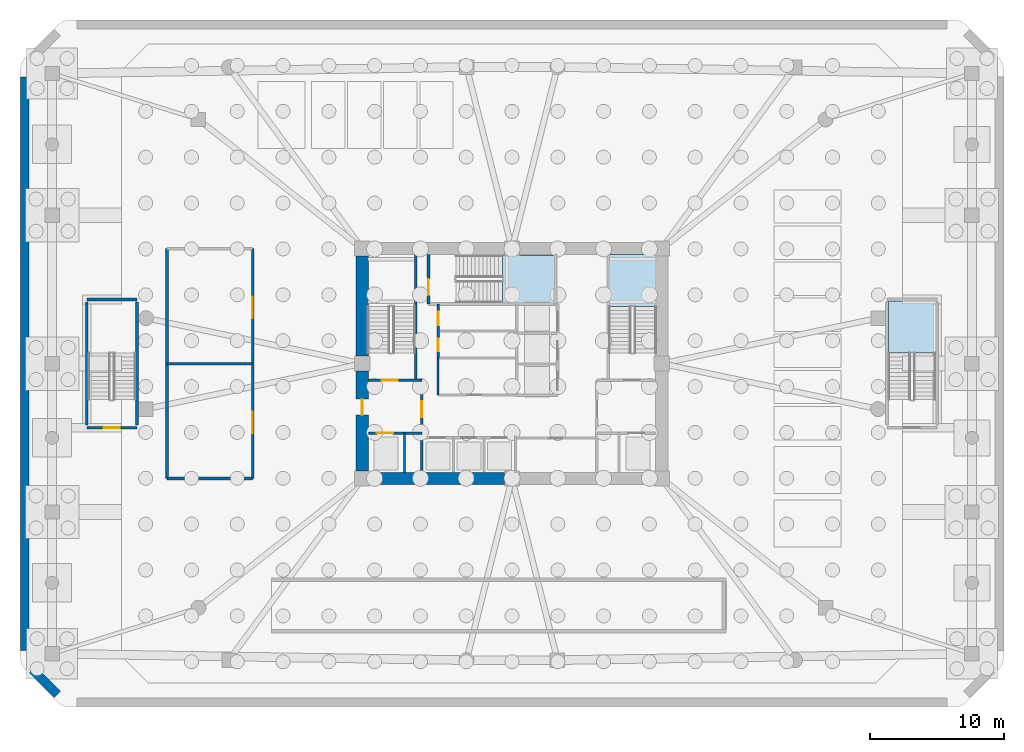
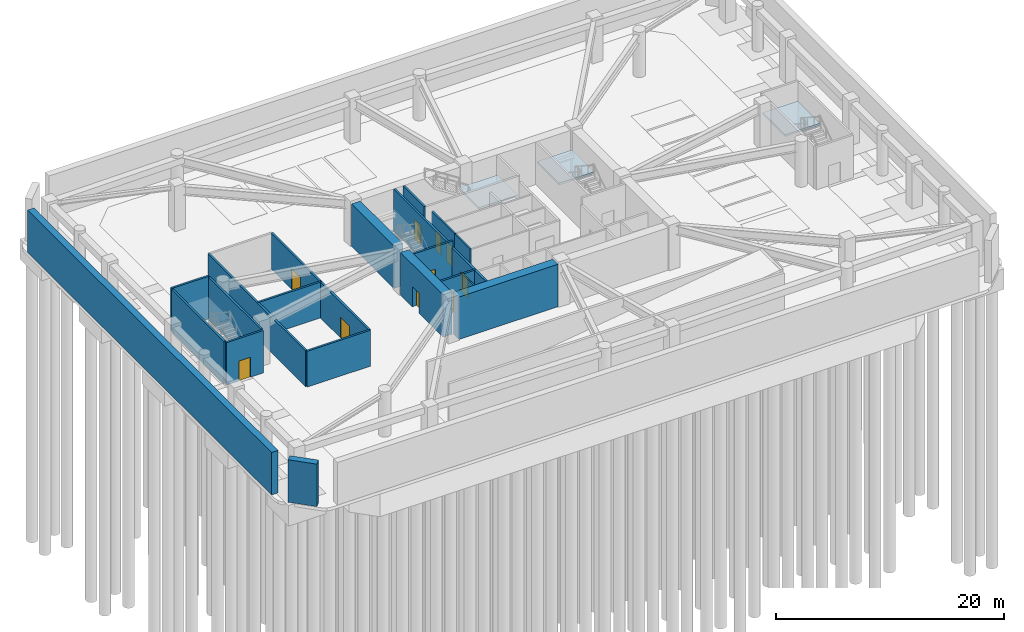
# One storey, part 4 of 11: 21 walls, 10 doors, 3 slabs, 10 openings, 3 elements without a shape of their own.
"""IFC4 building model written with IfcOpenShell, lengths in metres."""

from ifc_helpers import new_model, si_unit, derived_unit, direction, frame, frame_2d, origin, place, context, subcontext, project, spatial, polyline, rectangle, outline, extrude, material, layer, layer_set, type_object, element, fill, aggregate, save


model = new_model("IFC4")

# Units and contexts
model_context = context("Model", 3, precision=1e-05, world=origin(), true_north=direction((0.0, 1.0)))
body_context = subcontext(model_context, "Body", "Model", "MODEL_VIEW")
ifc_project = project(units=[si_unit("LENGTHUNIT", "METRE"), si_unit("AREAUNIT", "SQUARE_METRE"), si_unit("VOLUMEUNIT", "CUBIC_METRE"), si_unit("PLANEANGLEUNIT", "RADIAN"), si_unit("MASSUNIT", "GRAM", prefix="KILO"), derived_unit("THERMALTRANSMITTANCEUNIT", [(si_unit("POWERUNIT", "WATT"), 1), (si_unit("LENGTHUNIT", "METRE"), -2), (si_unit("THERMODYNAMICTEMPERATUREUNIT", "KELVIN"), -1)])], contexts=[model_context])

# Site, building, storey
site_placement = place(None, origin())
site = spatial("IfcSite", under=ifc_project, at=site_placement, CompositionType="ELEMENT")
building_placement = place(site_placement, origin())
building = spatial("IfcBuilding", under=site, at=building_placement, Name="Koralith Skygarden Medical Center", CompositionType="ELEMENT")
storey_placement = place(building_placement, frame((0.0, 0.0, -9.719970703125)))
storey = spatial("IfcBuildingStorey", under=building, at=storey_placement, Name="B2", CompositionType="ELEMENT", Elevation=-9.719970703125)

# Stair, slab
ifc_material_1 = material(Name="Concrete C45/55", Category="concrete")
stair_type = type_object("IfcStairType", Name="Core Exit Dogleg Concrete Stair", PredefinedType="HALF_TURN_STAIR", material=ifc_material_1)
stair_1_placement = place(storey_placement, origin())
stair_1 = element("IfcStair", 1, at=stair_1_placement, inside=storey, type_object=stair_type, Name="B2 Smokeproof Exit Stair ST2", PredefinedType="HALF_TURN_STAIR")
ifc_layer_1 = layer(ifc_material_1, 0.199951171875)
ifc_layer_set_1 = layer_set([ifc_layer_1], Name="Concrete C45/55")
slab_type = type_object("IfcSlabType", Name="Core Exit Concrete Stair Landing 200", PredefinedType="LANDING", material=ifc_layer_set_1)
slab_1_placement = place(storey_placement, frame((0.0, 0.0, 2.22998046875)))
slab_1 = element("IfcSlab", 2, at=slab_1_placement, type_object=slab_type, Name="ST2 landing 1", PredefinedType="LANDING", context=body_context, shape_type="SweptSolid", body=[
    extrude(outline(polyline([(47.800048828125, 30.179931640625), (47.800048828125, 34.050048828125), (44.25, 34.050048828125), (44.25, 30.179931640625), (47.800048828125, 30.179931640625)])), origin(), (0.0, 0.0, 1.0), 0.199951171875),
])
aggregate(stair_1, [slab_1])

stair_2_placement = place(storey_placement, origin())
stair_2 = element("IfcStair", 3, at=stair_2_placement, inside=storey, type_object=stair_type, Name="B2 Smokeproof Exit Stair ST3", PredefinedType="HALF_TURN_STAIR")
slab_2_placement = place(storey_placement, frame((0.0, 0.0, 2.22998046875)))
slab_2 = element("IfcSlab", 4, at=slab_2_placement, type_object=slab_type, Name="ST3 landing 1", PredefinedType="LANDING", context=body_context, shape_type="SweptSolid", body=[
    extrude(outline(polyline([(36.280029296875, 30.449951171875), (40.199951171875, 30.449951171875), (40.199951171875, 34.0), (36.280029296875, 34.0), (36.280029296875, 30.449951171875)])), origin(), (0.0, 0.0, 1.0), 0.199951171875),
])
aggregate(stair_2, [slab_2])

stair_3_placement = place(storey_placement, origin())
stair_3 = element("IfcStair", 5, at=stair_3_placement, inside=storey, type_object=stair_type, Name="B2 Podium Smokeproof Exit Stair ST5", PredefinedType="HALF_TURN_STAIR")
slab_3_placement = place(storey_placement, frame((0.0, 0.0, 2.22998046875)))
slab_3 = element("IfcSlab", 6, at=slab_3_placement, type_object=slab_type, Name="ST5 landing 1", PredefinedType="LANDING", context=body_context, shape_type="SweptSolid", body=[
    extrude(outline(polyline([(68.699951171875, 26.679931640625), (68.699951171875, 30.60009765625), (65.14990234375, 30.60009765625), (65.14990234375, 26.679931640625), (68.699951171875, 26.679931640625)])), origin(), (0.0, 0.0, 1.0), 0.199951171875),
])
aggregate(stair_3, [slab_3])

# Walls
ifc_material_2 = material(Name="Concrete C55/67", Category="concrete")
ifc_layer_2 = layer(ifc_material_2, 0.64990234375)
ifc_layer_set_2 = layer_set([ifc_layer_2], Name="Concrete C55/67")
wall_type_1 = type_object("IfcWallType", Name="Basement Retaining Wall 650", PredefinedType="SOLIDWALL", material=ifc_layer_set_2)
wall_1_placement = place(storey_placement, frame((0.550048828125, 47.344970703125, 0.0), z_axis=(0.0, 0.0, 1.0), x_axis=(0.0, -1.0, 0.0)))
element("IfcWall", 7, at=wall_1_placement, inside=storey, type_object=wall_type_1, Name="B2 Basement Retaining Wall W", PredefinedType="SOLIDWALL", context=body_context, shape_type="SweptSolid", body=[
    extrude(rectangle(XDim=42.889892578125, YDim=0.64990234375, at=frame_2d((21.44482421875, 0.0))), origin(), (0.0, 0.0, 1.0), 4.56005859375),
])
wall_2_placement = place(storey_placement, frame((1.15087890625, 3.00390625, 0.0), z_axis=(0.0, 0.0, 1.0), x_axis=(0.707106781187, -0.707106781187, 0.0)))
element("IfcWall", 8, at=wall_2_placement, inside=storey, type_object=wall_type_1, Name="B2 Basement Retaining Wall SW", PredefinedType="SOLIDWALL", context=body_context, shape_type="SweptSolid", body=[
    extrude(rectangle(XDim=2.62060546875, YDim=0.64990234375, at=frame_2d((1.310302734375, 0.0))), origin(), (0.0, 0.0, 1.0), 4.56005859375),
])
ifc_material_3 = material(Name="Gypsum Board Partition")
ifc_layer_3 = layer(ifc_material_3, 0.14990234375)
ifc_layer_set_3 = layer_set([ifc_layer_3], Name="Gypsum Board Partition")
wall_type_2 = type_object("IfcWallType", Name="Clinical Acoustic Partition 150", PredefinedType="PARTITIONING", material=ifc_layer_set_3)
wall_3_placement = place(storey_placement, frame((31.47998046875, 23.56005859375, 0.0), z_axis=(0.0, 0.0, 1.0), x_axis=(0.0, 1.0, 0.0)))
element("IfcWall", 9, at=wall_3_placement, inside=storey, type_object=wall_type_2, Name="B2 Clinical Acoustic Partition 150 W-CORE-B2-PH-BW", PredefinedType="PARTITIONING", context=body_context, shape_type="SweptSolid", body=[
    extrude(rectangle(XDim=2.760009765625, YDim=0.14990234375, at=frame_2d((1.3798828125, 0.0))), origin(), (0.0, 0.0, 1.0), 3.849853515625),
])

# Wall, opening, door
ifc_layer_4 = layer(ifc_material_3, 0.199951171875)
ifc_layer_set_4 = layer_set([ifc_layer_4], Name="Gypsum Board Partition")
wall_type_3 = type_object("IfcWallType", Name="Fire Shaft Wall 200", PredefinedType="SOLIDWALL", material=ifc_layer_set_4)
wall_4_placement = place(storey_placement, frame((26.25, 20.699951171875, 0.0), z_axis=(0.0, 0.0, 1.0), x_axis=(1.0, 0.0, 0.0)))
wall_4 = element("IfcWall", 10, at=wall_4_placement, inside=storey, type_object=wall_type_3, Name="B2 Fire Shaft Wall 200 W-CORE-B2-FF1-N", PredefinedType="SOLIDWALL", context=body_context, shape_type="SweptSolid", body=[
    extrude(rectangle(XDim=4.0, YDim=0.199951171875, at=frame_2d((2.0, 0.0))), origin(), (0.0, 0.0, 1.0), 3.849853515625),
])
opening_1_placement = place(wall_4_placement, frame((0.64990234375, 0.0, 0.0)))
opening_1 = element("IfcOpeningElement", 11, at=opening_1_placement, cuts=wall_4, Name="Opening LD-FF", PredefinedType="OPENING", context=body_context, shape_type="SweptSolid", body=[
    extrude(rectangle(XDim=1.199951171875, YDim=2.14990234375, at=frame_2d((0.60009765625, 1.074951171875))), frame((0.0, 0.10986328125, 0.0), z_axis=(0.0, -1.0, 0.0), x_axis=(1.0, 0.0, 0.0)), (0.0, 0.0, 1.0), 0.219970703125),
])
ifc_material_4 = material(Name="Steel ASTM A500 Grade C", Category="steel")
door_type_1 = type_object("IfcDoorType", Name="Fire Lift Sliding Landing Door LD-FF 1200", OperationType="NOTDEFINED", PredefinedType="DOOR", material=ifc_material_4)
door_1_placement = place(opening_1_placement, origin())
door_1 = element("IfcDoor", 12, at=door_1_placement, inside=storey, type_object=door_type_1, Name="B2 Fire Service Elevator FF1 Landing Door", OperationType="SLIDING_TO_LEFT", OverallHeight=2.14990234375, OverallWidth=1.199951171875, PredefinedType="DOOR", context=body_context, shape_type="SweptSolid", body=[
    extrude(rectangle(XDim=1.199951171875, YDim=2.14990234375, at=frame_2d((0.60009765625, 1.074951171875))), frame((0.0, 0.02490234375, 0.0), z_axis=(0.0, -1.0, 0.0), x_axis=(1.0, 0.0, 0.0)), (0.0, 0.0, 1.0), 0.050048828125),
])
fill(opening_1, door_1)

wall_5_placement = place(storey_placement, frame((30.25, 17.75, 0.0), z_axis=(0.0, 0.0, 1.0), x_axis=(0.0, 1.0, 0.0)))
wall_5 = element("IfcWall", 13, at=wall_5_placement, inside=storey, type_object=wall_type_3, Name="B2 Fire Shaft Wall 200 W-CORE-B2-FSAEW-E", PredefinedType="SOLIDWALL", context=body_context, shape_type="SweptSolid", body=[
    extrude(rectangle(XDim=6.89990234375, YDim=0.199951171875, at=frame_2d((3.449951171875, 0.0))), origin(), (0.0, 0.0, 1.0), 3.849853515625),
])
opening_2_placement = place(wall_5_placement, frame((4.14990234375, 0.0, 0.0)))
opening_2 = element("IfcOpeningElement", 14, at=opening_2_placement, cuts=wall_5, Name="Opening D-ST60", PredefinedType="OPENING", context=body_context, shape_type="SweptSolid", body=[
    extrude(rectangle(XDim=1.199951171875, YDim=2.14990234375, at=frame_2d((0.60009765625, 1.074951171875))), frame((0.0, 0.10986328125, 0.0), z_axis=(0.0, -1.0, 0.0), x_axis=(1.0, 0.0, 0.0)), (0.0, 0.0, 1.0), 0.219970703125),
])
door_type_2 = type_object("IfcDoorType", Name="Smokeproof Stair Fire Door FD60S 1200", OperationType="NOTDEFINED", PredefinedType="DOOR", material=ifc_material_4)
door_2_placement = place(opening_2_placement, origin())
door_2 = element("IfcDoor", 15, at=door_2_placement, inside=storey, type_object=door_type_2, Name="B2 West Firefighting Lobby Inner Fire Door", OperationType="SINGLE_SWING_LEFT", OverallHeight=2.14990234375, OverallWidth=1.199951171875, PredefinedType="DOOR", context=body_context, shape_type="SweptSolid", body=[
    extrude(rectangle(XDim=1.199951171875, YDim=2.14990234375, at=frame_2d((0.60009765625, 1.074951171875))), frame((0.0, 0.02490234375, 0.0), z_axis=(0.0, -1.0, 0.0), x_axis=(1.0, 0.0, 0.0)), (0.0, 0.0, 1.0), 0.050048828125),
])
fill(opening_2, door_2)

# Wall, openings, doors
wall_6_placement = place(storey_placement, frame((17.60009765625, 17.300048828125, 0.0), z_axis=(0.0, 0.0, 1.0), x_axis=(0.0, 1.0, 0.0)))
wall_6 = element("IfcWall", 16, at=wall_6_placement, inside=storey, type_object=wall_type_3, Name="B2 Fire Shaft Wall 200 W-BASE-B2-BLKE", PredefinedType="SOLIDWALL", context=body_context, shape_type="SweptSolid", body=[
    extrude(rectangle(XDim=17.199951171875, YDim=0.199951171875, at=frame_2d((8.60009765625, 0.0))), origin(), (0.0, 0.0, 1.0), 3.849853515625),
])
opening_3_placement = place(wall_6_placement, frame((3.39990234375, 0.0, 0.0)))
opening_3 = element("IfcOpeningElement", 17, at=opening_3_placement, cuts=wall_6, Name="Opening D-DBL", PredefinedType="OPENING", context=body_context, shape_type="SweptSolid", body=[
    extrude(rectangle(XDim=1.60009765625, YDim=2.199951171875, at=frame_2d((0.800048828125, 1.10009765625))), frame((0.0, 0.10986328125, 0.0), z_axis=(0.0, -1.0, 0.0), x_axis=(1.0, 0.0, 0.0)), (0.0, 0.0, 1.0), 0.219970703125),
])
opening_4_placement = place(wall_6_placement, frame((12.0, 0.0, 0.0)))
opening_4 = element("IfcOpeningElement", 18, at=opening_4_placement, cuts=wall_6, Name="Opening D-DBL", PredefinedType="OPENING", context=body_context, shape_type="SweptSolid", body=[
    extrude(rectangle(XDim=1.60009765625, YDim=2.199951171875, at=frame_2d((0.800048828125, 1.10009765625))), frame((0.0, 0.10986328125, 0.0), z_axis=(0.0, -1.0, 0.0), x_axis=(1.0, 0.0, 0.0)), (0.0, 0.0, 1.0), 0.219970703125),
])
ifc_material_5 = material(Name="Aluminium 6063-T6", Category="aluminium")
door_type_3 = type_object("IfcDoorType", Name="Double Clinical Suite Door D-DBL 1600", OperationType="NOTDEFINED", PredefinedType="DOOR", material=ifc_material_5)
door_3_placement = place(opening_3_placement, origin())
door_3 = element("IfcDoor", 19, at=door_3_placement, inside=storey, type_object=door_type_3, Name="B2 CSSD Soiled Decontamination Room Door", OperationType="DOUBLE_DOOR_SINGLE_SWING", OverallHeight=2.199951171875, OverallWidth=1.60009765625, PredefinedType="DOOR", context=body_context, shape_type="SweptSolid", body=[
    extrude(rectangle(XDim=1.60009765625, YDim=2.199951171875, at=frame_2d((0.800048828125, 1.10009765625))), frame((0.0, 0.02490234375, 0.0), z_axis=(0.0, -1.0, 0.0), x_axis=(1.0, 0.0, 0.0)), (0.0, 0.0, 1.0), 0.050048828125),
])
fill(opening_3, door_3)
door_4_placement = place(opening_4_placement, origin())
door_4 = element("IfcDoor", 20, at=door_4_placement, inside=storey, type_object=door_type_3, Name="B2 CSSD Clean Sterile Assembly Workroom Door", OperationType="DOUBLE_DOOR_SINGLE_SWING", OverallHeight=2.199951171875, OverallWidth=1.60009765625, PredefinedType="DOOR", context=body_context, shape_type="SweptSolid", body=[
    extrude(rectangle(XDim=1.60009765625, YDim=2.199951171875, at=frame_2d((0.800048828125, 1.10009765625))), frame((0.0, 0.02490234375, 0.0), z_axis=(0.0, -1.0, 0.0), x_axis=(1.0, 0.0, 0.0)), (0.0, 0.0, 1.0), 0.050048828125),
])
fill(opening_4, door_4)

# Walls
wall_7_placement = place(storey_placement, frame((11.199951171875, 17.300048828125, 0.0), z_axis=(0.0, 0.0, 1.0), x_axis=(1.0, 0.0, 0.0)))
element("IfcWall", 21, at=wall_7_placement, inside=storey, type_object=wall_type_3, Name="B2 Fire Shaft Wall 200 W-BASE-B2-BLKS", PredefinedType="SOLIDWALL", context=body_context, shape_type="SweptSolid", body=[
    extrude(rectangle(XDim=6.400146484375, YDim=0.199951171875, at=frame_2d((3.2001953125, 0.0))), origin(), (0.0, 0.0, 1.0), 3.849853515625),
])
wall_8_placement = place(storey_placement, frame((11.199951171875, 17.300048828125, 0.0), z_axis=(0.0, 0.0, 1.0), x_axis=(0.0, 1.0, 0.0)))
element("IfcWall", 22, at=wall_8_placement, inside=storey, type_object=wall_type_3, Name="B2 Fire Shaft Wall 200 W-BASE-B2-BLKW", PredefinedType="SOLIDWALL", context=body_context, shape_type="SweptSolid", body=[
    extrude(rectangle(XDim=17.199951171875, YDim=0.199951171875, at=frame_2d((8.60009765625, 0.0))), origin(), (0.0, 0.0, 1.0), 3.849853515625),
])
wall_9_placement = place(storey_placement, frame((11.199951171875, 25.89990234375, 0.0), z_axis=(0.0, 0.0, 1.0), x_axis=(1.0, 0.0, 0.0)))
element("IfcWall", 23, at=wall_9_placement, inside=storey, type_object=wall_type_3, Name="B2 Fire Shaft Wall 200 W-BASE-B2-BLKM", PredefinedType="SOLIDWALL", context=body_context, shape_type="SweptSolid", body=[
    extrude(rectangle(XDim=6.400146484375, YDim=0.199951171875, at=frame_2d((3.2001953125, 0.0))), origin(), (0.0, 0.0, 1.0), 3.849853515625),
])
ifc_material_6 = material(Name="Concrete C70/85", Category="concrete")
ifc_layer_5 = layer(ifc_material_6, 0.89990234375)
ifc_layer_set_5 = layer_set([ifc_layer_5], Name="Concrete C70/85")
wall_type_4 = type_object("IfcWallType", Name="Lower Core Shear Wall 900", PredefinedType="SHEAR", material=ifc_layer_set_5)
wall_10_placement = place(storey_placement, frame((26.364990234375, 17.300048828125, 0.0), z_axis=(0.0, 0.0, 1.0), x_axis=(1.0, 0.0, 0.0)))
element("IfcWall", 24, at=wall_10_placement, inside=storey, type_object=wall_type_4, Name="B2 Core Shear Wall Segment 1", PredefinedType="SHEAR", context=body_context, shape_type="SweptSolid", body=[
    extrude(rectangle(XDim=10.070068359375, YDim=0.89990234375, at=frame_2d((5.03515625, 0.0))), origin(), (0.0, 0.0, 1.0), 4.56005859375),
])
wall_11_placement = place(storey_placement, frame((25.800048828125, 33.93505859375, 0.0), z_axis=(0.0, 0.0, 1.0), x_axis=(0.0, -1.0, 0.0)))
element("IfcWall", 25, at=wall_11_placement, inside=storey, type_object=wall_type_4, Name="B2 Core Shear Wall Segment 7", PredefinedType="SHEAR", context=body_context, shape_type="SweptSolid", body=[
    extrude(rectangle(XDim=7.469970703125, YDim=0.89990234375, at=frame_2d((3.73486328125, 0.0))), origin(), (0.0, 0.0, 1.0), 4.56005859375),
])

# Wall, opening, door
wall_12_placement = place(storey_placement, frame((25.800048828125, 25.3349609375, 0.0), z_axis=(0.0, 0.0, 1.0), x_axis=(0.0, -1.0, 0.0)))
wall_12 = element("IfcWall", 26, at=wall_12_placement, inside=storey, type_object=wall_type_4, Name="B2 Core Shear Wall Segment 8", PredefinedType="SHEAR", context=body_context, shape_type="SweptSolid", body=[
    extrude(rectangle(XDim=7.469970703125, YDim=0.89990234375, at=frame_2d((3.73486328125, 0.0))), origin(), (0.0, 0.0, 1.0), 4.56005859375),
])
opening_5_placement = place(wall_12_placement, frame((2.0849609375, 0.0, 0.0)))
opening_5 = element("IfcOpeningElement", 27, at=opening_5_placement, cuts=wall_12, Name="Opening D-ST60", PredefinedType="OPENING", context=body_context, shape_type="SweptSolid", body=[
    extrude(rectangle(XDim=1.199951171875, YDim=2.14990234375, at=frame_2d((0.60009765625, 1.074951171875))), frame((0.0, 0.4599609375, 0.0), z_axis=(0.0, -1.0, 0.0), x_axis=(1.0, 0.0, 0.0)), (0.0, 0.0, 1.0), 0.919921875),
])
door_5_placement = place(opening_5_placement, frame((1.199951171875, 0.0, 0.0), z_axis=(0.0, 0.0, 1.0), x_axis=(-1.0, 0.0, 0.0)))
door_5 = element("IfcDoor", 28, at=door_5_placement, inside=storey, type_object=door_type_2, Name="B2 West Corridor to Firefighting Lobby Door", OperationType="SINGLE_SWING_LEFT", OverallHeight=2.14990234375, OverallWidth=1.199951171875, PredefinedType="DOOR", context=body_context, shape_type="SweptSolid", body=[
    extrude(rectangle(XDim=1.199951171875, YDim=2.14990234375, at=frame_2d((0.60009765625, 1.074951171875))), frame((0.0, 0.02490234375, 0.0), z_axis=(0.0, -1.0, 0.0), x_axis=(1.0, 0.0, 0.0)), (0.0, 0.0, 1.0), 0.050048828125),
])
fill(opening_5, door_5)

# Wall, openings, doors
ifc_layer_6 = layer(ifc_material_3, 0.1650390625)
ifc_layer_set_6 = layer_set([ifc_layer_6], Name="Gypsum Board Partition")
wall_type_5 = type_object("IfcWallType", Name="Plumbing Wet Wall 165", PredefinedType="PLUMBINGWALL", material=ifc_layer_set_6)
wall_13_placement = place(storey_placement, frame((31.47998046875, 26.320068359375, 0.0), z_axis=(0.0, 0.0, 1.0), x_axis=(0.0, 1.0, 0.0)))
wall_13 = element("IfcWall", 29, at=wall_13_placement, inside=storey, type_object=wall_type_5, Name="B2 Plumbing Wet Wall 165 W-CORE-B2-FLEX-W", PredefinedType="PLUMBINGWALL", context=body_context, shape_type="SweptSolid", body=[
    extrude(rectangle(XDim=4.0400390625, YDim=0.1650390625, at=frame_2d((2.02001953125, 0.0))), origin(), (0.0, 0.0, 1.0), 3.849853515625),
])
opening_6_placement = place(wall_13_placement, frame((0.5, 0.0, 0.0)))
opening_6 = element("IfcOpeningElement", 30, at=opening_6_placement, cuts=wall_13, Name="Opening D-WC", PredefinedType="OPENING", context=body_context, shape_type="SweptSolid", body=[
    extrude(rectangle(XDim=0.949951171875, YDim=2.10009765625, at=frame_2d((0.47509765625, 1.050048828125))), frame((0.0, 0.092529296875, 0.0), z_axis=(0.0, -1.0, 0.0), x_axis=(1.0, 0.0, 0.0)), (0.0, 0.0, 1.0), 0.18505859375),
])
opening_7_placement = place(wall_13_placement, frame((2.449951171875, 0.0, 0.0)))
opening_7 = element("IfcOpeningElement", 31, at=opening_7_placement, cuts=wall_13, Name="Opening D-SUP", PredefinedType="OPENING", context=body_context, shape_type="SweptSolid", body=[
    extrude(rectangle(XDim=1.0, YDim=2.14990234375, at=frame_2d((0.5, 1.074951171875))), frame((0.0, 0.092529296875, 0.0), z_axis=(0.0, -1.0, 0.0), x_axis=(1.0, 0.0, 0.0)), (0.0, 0.0, 1.0), 0.18505859375),
])
door_type_4 = type_object("IfcDoorType", Name="Accessible Toilet Door D-WC 950", OperationType="NOTDEFINED", PredefinedType="DOOR", material=ifc_material_5)
door_6_placement = place(opening_6_placement, frame((0.949951171875, 0.0, 0.0), z_axis=(0.0, 0.0, 1.0), x_axis=(-1.0, 0.0, 0.0)))
door_6 = element("IfcDoor", 32, at=door_6_placement, inside=storey, type_object=door_type_4, Name="B2 Core Accessible WC Door", OperationType="SINGLE_SWING_LEFT", OverallHeight=2.10009765625, OverallWidth=0.949951171875, PredefinedType="DOOR", context=body_context, shape_type="SweptSolid", body=[
    extrude(rectangle(XDim=0.949951171875, YDim=2.10009765625, at=frame_2d((0.47509765625, 1.050048828125))), frame((0.0, 0.02490234375, 0.0), z_axis=(0.0, -1.0, 0.0), x_axis=(1.0, 0.0, 0.0)), (0.0, 0.0, 1.0), 0.050048828125),
])
fill(opening_6, door_6)
door_type_5 = type_object("IfcDoorType", Name="Clinical Support Door D-SUP 1000", OperationType="NOTDEFINED", PredefinedType="DOOR", material=ifc_material_5)
door_7_placement = place(opening_7_placement, frame((1.0, 0.0, 0.0), z_axis=(0.0, 0.0, 1.0), x_axis=(-1.0, 0.0, 0.0)))
door_7 = element("IfcDoor", 33, at=door_7_placement, inside=storey, type_object=door_type_5, Name="B2 Core Clean Utility Door", OperationType="SINGLE_SWING_RIGHT", OverallHeight=2.14990234375, OverallWidth=1.0, PredefinedType="DOOR", context=body_context, shape_type="SweptSolid", body=[
    extrude(rectangle(XDim=1.0, YDim=2.14990234375, at=frame_2d((0.5, 1.074951171875))), frame((0.0, 0.02490234375, 0.0), z_axis=(0.0, -1.0, 0.0), x_axis=(1.0, 0.0, 0.0)), (0.0, 0.0, 1.0), 0.050048828125),
])
fill(opening_7, door_7)

# Walls
ifc_layer_7 = layer(ifc_material_3, 0.14990234375)
ifc_layer_set_7 = layer_set([ifc_layer_7], Name="Gypsum Board Partition")
wall_type_6 = type_object("IfcWallType", Name="Shaft Partition Wall 150", PredefinedType="PARTITIONING", material=ifc_layer_set_7)
wall_14_placement = place(storey_placement, frame((28.969970703125, 17.75, 0.0), z_axis=(0.0, 0.0, 1.0), x_axis=(0.0, 1.0, 0.0)))
element("IfcWall", 34, at=wall_14_placement, inside=storey, type_object=wall_type_6, Name="B2 Shaft Partition Wall 150 W-CORE-B2-RSRW-DIV", PredefinedType="PARTITIONING", context=body_context, shape_type="SweptSolid", body=[
    extrude(rectangle(XDim=2.949951171875, YDim=0.14990234375, at=frame_2d((1.47509765625, 0.0))), origin(), (0.0, 0.0, 1.0), 3.849853515625),
])
ifc_layer_8 = layer(ifc_material_1, 0.199951171875)
ifc_layer_set_8 = layer_set([ifc_layer_8], Name="Concrete C45/55")
wall_type_7 = type_object("IfcWallType", Name="Structural Stair Shaft Wall 200", PredefinedType="SHEAR", material=ifc_layer_set_8)
wall_15_placement = place(storey_placement, frame((29.800048828125, 24.64990234375, 0.0), z_axis=(0.0, 0.0, 1.0), x_axis=(0.0, 1.0, 0.0)))
element("IfcWall", 35, at=wall_15_placement, inside=storey, type_object=wall_type_7, Name="B2 Structural Stair Shaft Wall 200 W-CORE-B2-ST1-E", PredefinedType="SHEAR", context=body_context, shape_type="SweptSolid", body=[
    extrude(rectangle(XDim=9.400146484375, YDim=0.199951171875, at=frame_2d((4.7001953125, 0.0))), origin(), (0.0, 0.0, 1.0), 4.56005859375),
])

# Wall, opening, door
wall_16_placement = place(storey_placement, frame((26.25, 24.64990234375, 0.0), z_axis=(0.0, 0.0, 1.0), x_axis=(1.0, 0.0, 0.0)))
wall_16 = element("IfcWall", 36, at=wall_16_placement, inside=storey, type_object=wall_type_7, Name="B2 Structural Stair Shaft Wall 200 W-CORE-B2-ST1-S", PredefinedType="SHEAR", context=body_context, shape_type="SweptSolid", body=[
    extrude(rectangle(XDim=4.0, YDim=0.199951171875, at=frame_2d((2.0, 0.0))), origin(), (0.0, 0.0, 1.0), 4.56005859375),
])
opening_8_placement = place(wall_16_placement, frame((1.0, 0.0, 0.0)))
opening_8 = element("IfcOpeningElement", 37, at=opening_8_placement, cuts=wall_16, Name="Opening D-ST60", PredefinedType="OPENING", context=body_context, shape_type="SweptSolid", body=[
    extrude(rectangle(XDim=1.199951171875, YDim=2.14990234375, at=frame_2d((0.60009765625, 1.074951171875))), frame((0.0, 0.10986328125, 0.0), z_axis=(0.0, -1.0, 0.0), x_axis=(1.0, 0.0, 0.0)), (0.0, 0.0, 1.0), 0.219970703125),
])
door_8_placement = place(opening_8_placement, origin())
door_8 = element("IfcDoor", 38, at=door_8_placement, inside=storey, type_object=door_type_2, Name="B2 Exit Stair ST1 Fire Door", OperationType="SINGLE_SWING_LEFT", OverallHeight=2.14990234375, OverallWidth=1.199951171875, PredefinedType="DOOR", context=body_context, shape_type="SweptSolid", body=[
    extrude(rectangle(XDim=1.199951171875, YDim=2.14990234375, at=frame_2d((0.60009765625, 1.074951171875))), frame((0.0, 0.02490234375, 0.0), z_axis=(0.0, -1.0, 0.0), x_axis=(1.0, 0.0, 0.0)), (0.0, 0.0, 1.0), 0.050048828125),
])
fill(opening_8, door_8)

wall_17_placement = place(storey_placement, frame((30.75, 30.360107421875, 0.0), z_axis=(0.0, 0.0, 1.0), x_axis=(0.0, 1.0, 0.0)))
wall_17 = element("IfcWall", 39, at=wall_17_placement, inside=storey, type_object=wall_type_7, Name="B2 Structural Stair Shaft Wall 200 W-CORE-B2-ST3-W", PredefinedType="SHEAR", context=body_context, shape_type="SweptSolid", body=[
    extrude(rectangle(XDim=3.68994140625, YDim=0.199951171875, at=frame_2d((1.844970703125, 0.0))), origin(), (0.0, 0.0, 1.0), 4.56005859375),
])
opening_9_placement = place(wall_17_placement, frame((0.64990234375, 0.0, 0.0)))
opening_9 = element("IfcOpeningElement", 40, at=opening_9_placement, cuts=wall_17, Name="Opening D-ST60", PredefinedType="OPENING", context=body_context, shape_type="SweptSolid", body=[
    extrude(rectangle(XDim=1.199951171875, YDim=2.14990234375, at=frame_2d((0.60009765625, 1.074951171875))), frame((0.0, 0.10986328125, 0.0), z_axis=(0.0, -1.0, 0.0), x_axis=(1.0, 0.0, 0.0)), (0.0, 0.0, 1.0), 0.219970703125),
])
door_9_placement = place(opening_9_placement, frame((1.199951171875, 0.0, 0.0), z_axis=(0.0, 0.0, 1.0), x_axis=(-1.0, 0.0, 0.0)))
door_9 = element("IfcDoor", 41, at=door_9_placement, inside=storey, type_object=door_type_2, Name="B2 Exit Stair ST3 Basement Fire Door", OperationType="SINGLE_SWING_LEFT", OverallHeight=2.14990234375, OverallWidth=1.199951171875, PredefinedType="DOOR", context=body_context, shape_type="SweptSolid", body=[
    extrude(rectangle(XDim=1.199951171875, YDim=2.14990234375, at=frame_2d((0.60009765625, 1.074951171875))), frame((0.0, 0.02490234375, 0.0), z_axis=(0.0, -1.0, 0.0), x_axis=(1.0, 0.0, 0.0)), (0.0, 0.0, 1.0), 0.050048828125),
])
fill(opening_9, door_9)

wall_18_placement = place(storey_placement, frame((5.199951171875, 21.10009765625, 0.0), z_axis=(0.0, 0.0, 1.0), x_axis=(1.0, 0.0, 0.0)))
wall_18 = element("IfcWall", 42, at=wall_18_placement, inside=storey, type_object=wall_type_7, Name="B2 Structural Stair Shaft Wall 200 W-ST4-B2-S", PredefinedType="SHEAR", context=body_context, shape_type="SweptSolid", body=[
    extrude(rectangle(XDim=3.75, YDim=0.199951171875, at=frame_2d((1.875, 0.0))), origin(), (0.0, 0.0, 1.0), 4.56005859375),
])
opening_10_placement = place(wall_18_placement, frame((1.25, 0.0, 0.0)))
opening_10 = element("IfcOpeningElement", 43, at=opening_10_placement, cuts=wall_18, Name="Opening D-ST60", PredefinedType="OPENING", context=body_context, shape_type="SweptSolid", body=[
    extrude(rectangle(XDim=1.199951171875, YDim=2.14990234375, at=frame_2d((0.60009765625, 1.074951171875))), frame((0.0, 0.10986328125, 0.0), z_axis=(0.0, -1.0, 0.0), x_axis=(1.0, 0.0, 0.0)), (0.0, 0.0, 1.0), 0.219970703125),
])
door_10_placement = place(opening_10_placement, origin())
door_10 = element("IfcDoor", 44, at=door_10_placement, inside=storey, type_object=door_type_2, Name="B2 Exit Stair ST4 Fire Door", OperationType="SINGLE_SWING_LEFT", OverallHeight=2.14990234375, OverallWidth=1.199951171875, PredefinedType="DOOR", context=body_context, shape_type="SweptSolid", body=[
    extrude(rectangle(XDim=1.199951171875, YDim=2.14990234375, at=frame_2d((0.60009765625, 1.074951171875))), frame((0.0, 0.02490234375, 0.0), z_axis=(0.0, -1.0, 0.0), x_axis=(1.0, 0.0, 0.0)), (0.0, 0.0, 1.0), 0.050048828125),
])
fill(opening_10, door_10)

# Walls
wall_19_placement = place(storey_placement, frame((5.199951171875, 30.699951171875, 0.0), z_axis=(0.0, 0.0, 1.0), x_axis=(1.0, 0.0, 0.0)))
element("IfcWall", 45, at=wall_19_placement, inside=storey, type_object=wall_type_7, Name="B2 Structural Stair Shaft Wall 200 W-ST4-B2-N", PredefinedType="SHEAR", context=body_context, shape_type="SweptSolid", body=[
    extrude(rectangle(XDim=3.75, YDim=0.199951171875, at=frame_2d((1.875, 0.0))), origin(), (0.0, 0.0, 1.0), 4.56005859375),
])
for number, where, z_axis, x_axis, name in (
    (46, (5.199951171875, 21.300048828125, 0.0), (0.0, 0.0, 1.0), (0.0, 1.0, 0.0), "B2 Structural Stair Shaft Wall 200 W-ST4-B2-W"),
    (47, (8.949951171875, 21.300048828125, 0.0), (0.0, 0.0, 1.0), (0.0, 1.0, 0.0), "B2 Structural Stair Shaft Wall 200 W-ST4-B2-E"),
):
    element("IfcWall", number, at=place(storey_placement, frame(where, z_axis=z_axis, x_axis=x_axis)), inside=storey, type_object=wall_type_7, Name=name, PredefinedType="SHEAR", context=body_context, shape_type="SweptSolid", body=[
        extrude(rectangle(XDim=9.199951171875, YDim=0.199951171875, at=frame_2d((4.60009765625, 0.0))), origin(), (0.0, 0.0, 1.0), 4.56005859375),
    ])

save(model, "model.ifc")
